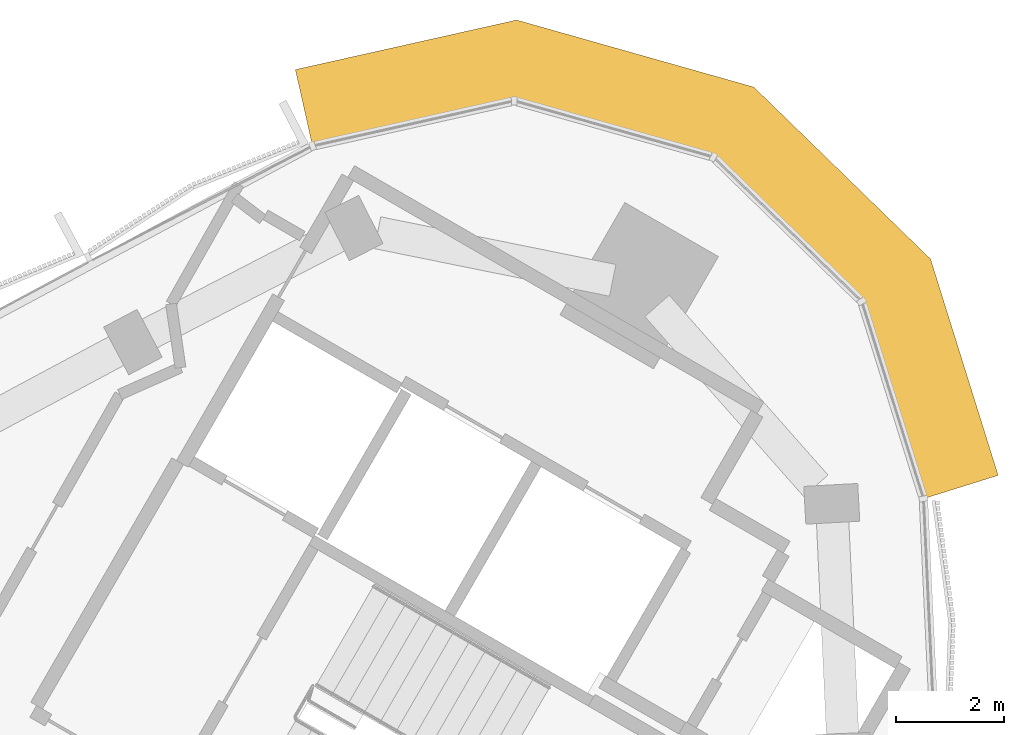
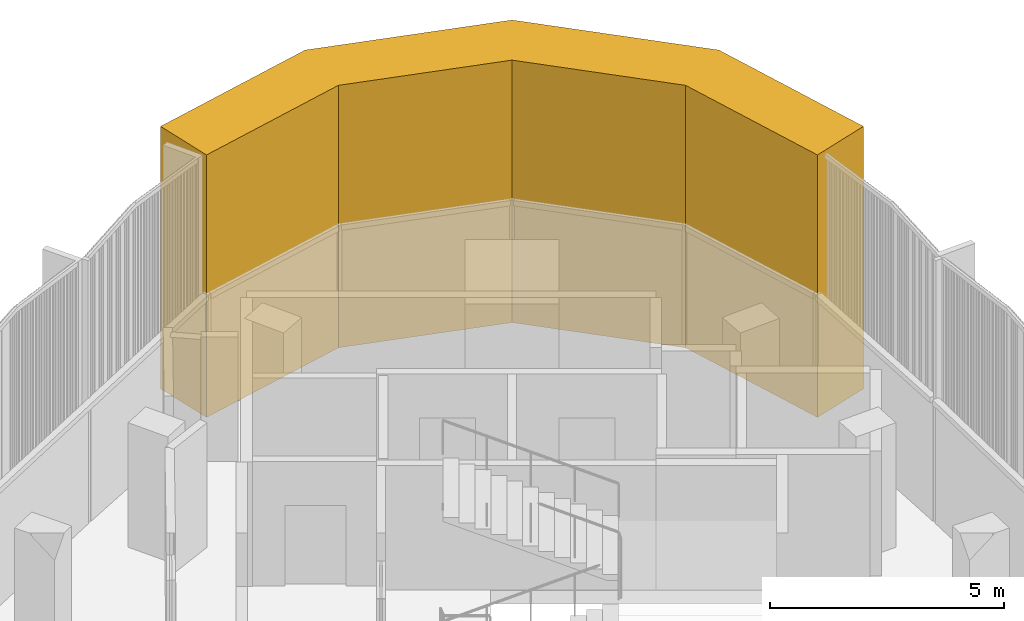
# One storey, part 13 of 13: 1 covering.
"""IFC4 building model written with IfcOpenShell, lengths in metres."""

import ifcopenshell
import ifcopenshell.guid

model = None  # the IFC model being written
_history = None  # IfcOwnerHistory: only IFC2X3 demands one
_inside = {}  # id of a spatial element -> (the spatial element, [elements in it])
_under = {}  # id of a project, library or spatial element -> (it, [spatial elements below it])
_declared = {}  # id of a project -> (the project, [libraries it declares])
_typed = {}  # id of a type object -> (the type object, [elements of that type])
_made_of = {}  # id of a material, layer set ... -> (it, [elements and type objects made of it])


def new_model(schema):
    """Start an empty IFC model of exactly this schema.

    Asked for "IFC4X3", IfcOpenShell would pick the latest addendum, in which some entities
    have other attributes; the version numbers below select the first issue.
    IFC2X3 requires an IfcOwnerHistory on every rooted entity: one is made here for all.
    """
    global model, _history
    if schema == "IFC4X3":
        model = ifcopenshell.file(schema_version=(4, 3, 0, 0))
    else:
        model = ifcopenshell.file(schema=schema)
    _inside.clear()
    _under.clear()
    _declared.clear()
    _typed.clear()
    _made_of.clear()
    _history = None
    if model.schema == "IFC2X3":
        org = make("IfcOrganization", Name="unknown")
        user = make(
            "IfcPersonAndOrganization",
            ThePerson=make("IfcPerson", FamilyName="unknown"),
            TheOrganization=org,
        )
        app = make(
            "IfcApplication",
            ApplicationDeveloper=org,
            Version="unknown",
            ApplicationFullName="unknown",
            ApplicationIdentifier="unknown",
        )
        _history = make(
            "IfcOwnerHistory",
            OwningUser=user,
            OwningApplication=app,
            ChangeAction="ADDED",
            CreationDate=0,
        )
    return model


def make(cls, **values):
    """One entity of the class cls with the attributes given. An attribute that is None is left unset."""
    return model.create_entity(
        cls, **{name: value for name, value in values.items() if value is not None}
    )


def rooted(cls, **values):
    """An entity with a GlobalId (a new one), such as an element, a storey or a relation."""
    return make(cls, GlobalId=ifcopenshell.guid.new(), OwnerHistory=_history, **values)


def si_unit(unit_type, name, prefix=None):
    """IfcSIUnit, for example si_unit("LENGTHUNIT", "METRE", prefix="MILLI")."""
    return make("IfcSIUnit", UnitType=unit_type, Prefix=prefix, Name=name)


def assignment(units):
    """IfcUnitAssignment: the units of a project."""
    return None if units is None else make("IfcUnitAssignment", Units=units)


def point(xyz):
    """IfcCartesianPoint."""
    return None if xyz is None else make("IfcCartesianPoint", Coordinates=xyz)


def direction(xyz):
    """IfcDirection."""
    return None if xyz is None else make("IfcDirection", DirectionRatios=xyz)


def frame(location, z_axis=None, x_axis=None):
    """IfcAxis2Placement3D, a coordinate frame: its origin and axes. An axis left out is left unset."""
    return make(
        "IfcAxis2Placement3D",
        Location=point(location),
        Axis=direction(z_axis),
        RefDirection=direction(x_axis),
    )


def origin():
    """The frame at (0, 0, 0) with its axes left unset."""
    return frame((0.0, 0.0, 0.0))


def place(relative_to, where):
    """IfcLocalPlacement: puts the frame where relative to a parent placement (None: the world)."""
    return make(
        "IfcLocalPlacement", PlacementRelTo=relative_to, RelativePlacement=where
    )


def context(
    kind, dimensions, precision=None, world=None, true_north=None, identifier=None
):
    """IfcGeometricRepresentationContext, for example the 3D "Model" context."""
    return make(
        "IfcGeometricRepresentationContext",
        ContextIdentifier=identifier,
        ContextType=kind,
        CoordinateSpaceDimension=dimensions,
        Precision=precision,
        WorldCoordinateSystem=world,
        TrueNorth=true_north,
    )


def subcontext(parent, identifier, kind, view, scale=None):
    """IfcGeometricRepresentationSubContext, for example "Body" below "Model"."""
    return make(
        "IfcGeometricRepresentationSubContext",
        ContextIdentifier=identifier,
        ContextType=kind,
        ParentContext=parent,
        TargetScale=scale,
        TargetView=view,
    )


def project(units=None, contexts=None):
    """IfcProject with its units and contexts."""
    return rooted(
        "IfcProject",
        Name="project",
        RepresentationContexts=contexts,
        UnitsInContext=assignment(units),
    )


def spatial(cls, under=None, at=None, **own):
    """A site, building, storey or space (cls), placed at a placement, below another one or the project."""
    s = rooted(cls, ObjectPlacement=at, **own)
    if under is not None:
        _under.setdefault(under.id(), (under, []))[1].append(s)
    return s


def polyline(points):
    """IfcPolyline through the points."""
    return make("IfcPolyline", Points=[point(p) for p in points])


def outline(outer, holes=None, kind="AREA"):
    """IfcArbitraryClosedProfileDef: a profile drawn as a closed curve; with holes, ...WithVoids."""
    if holes is None:
        return make("IfcArbitraryClosedProfileDef", ProfileType=kind, OuterCurve=outer)
    return make(
        "IfcArbitraryProfileDefWithVoids",
        ProfileType=kind,
        OuterCurve=outer,
        InnerCurves=holes,
    )


def extrude(swept, where, along, depth):
    """IfcExtrudedAreaSolid: the profile swept, set in the frame where, extruded along a direction by depth."""
    return make(
        "IfcExtrudedAreaSolid",
        SweptArea=swept,
        Position=where,
        ExtrudedDirection=direction(along),
        Depth=depth,
    )


def shape(context_of_items, identifier, shape_type, items):
    """IfcShapeRepresentation: the items that make up one representation, for example the "Body"."""
    return make(
        "IfcShapeRepresentation",
        ContextOfItems=context_of_items,
        RepresentationIdentifier=identifier,
        RepresentationType=shape_type,
        Items=items,
    )


def material(Name=None, Category=None):
    """IfcMaterial."""
    return make("IfcMaterial", Name=Name, Category=Category)


def layer(
    of_material, thickness, ventilated=None, Name=None, Category=None, Priority=None
):
    """IfcMaterialLayer: one layer of a wall or slab, of a material (None: an air gap)."""
    return make(
        "IfcMaterialLayer",
        Material=of_material,
        LayerThickness=thickness,
        IsVentilated=ventilated,
        Name=Name,
        Category=Category,
        Priority=Priority,
    )


def layer_set(layers, Name=None):
    """IfcMaterialLayerSet."""
    return make("IfcMaterialLayerSet", MaterialLayers=layers, LayerSetName=Name)


def made_of(thing, what):
    """Note that an element or type object is made of a material, layer set ...; save() writes the relation."""
    if what is not None:
        _made_of.setdefault(what.id(), (what, []))[1].append(thing)
    return thing


def type_object(cls, material=None, **own):
    """A type object (cls), such as IfcWallType, which elements share."""
    return made_of(rooted(cls, **own), material)


def element(
    cls,
    number,
    at=None,
    inside=None,
    cuts=None,
    type_object=None,
    material=None,
    context=None,
    identifier="Body",
    shape_type=None,
    held_by="IfcProductDefinitionShape",
    body=None,
    shapes=None,
    **own,
):
    """One element of the class cls, such as IfcWall. Its Tag is "e" and its number.

    at: its placement. inside: the storey or other place that contains it. cuts: it is an
    opening in that element (IfcRelVoidsElement). A single representation is given by context,
    identifier, shape_type and body (its items); several are given by shapes. held_by: the class
    of the entity that holds the representations. save() writes the other relations.
    """
    e = rooted(cls, Tag="e%d" % number, ObjectPlacement=at, **own)
    if body is not None:
        shapes = [shape(context, identifier, shape_type, body)]
    if shapes is not None:
        e.Representation = make(held_by, Representations=shapes)
    if inside is not None:
        _inside.setdefault(inside.id(), (inside, []))[1].append(e)
    if cuts is not None:
        rooted(
            "IfcRelVoidsElement", RelatingBuildingElement=cuts, RelatedOpeningElement=e
        )
    if type_object is not None:
        _typed.setdefault(type_object.id(), (type_object, []))[1].append(e)
    return made_of(e, material)


def aggregate(whole, parts):
    """IfcRelAggregates: a whole, such as a stair, and the parts it consists of."""
    return rooted("IfcRelAggregates", RelatingObject=whole, RelatedObjects=parts)


def save(model, path):
    """Write the relations noted so far, then the file.

    IfcRelAggregates (storeys below a building ...), IfcRelContainedInSpatialStructure (elements
    in a storey), IfcRelDefinesByType, IfcRelAssociatesMaterial and IfcRelDeclares: one each for
    every whole, place, type object, material and project.
    """
    for whole, parts in _under.values():
        aggregate(whole, parts)
    for where, things in _inside.values():
        rooted(
            "IfcRelContainedInSpatialStructure",
            RelatedElements=things,
            RelatingStructure=where,
        )
    for kind, things in _typed.values():
        rooted("IfcRelDefinesByType", RelatedObjects=things, RelatingType=kind)
    for what, things in _made_of.values():
        rooted("IfcRelAssociatesMaterial", RelatedObjects=things, RelatingMaterial=what)
    for by, libraries in _declared.values():
        rooted("IfcRelDeclares", RelatingContext=by, RelatedDefinitions=libraries)
    model.write(path)


model = new_model("IFC4")

# Units and contexts
model_context = context("Model", 3, precision=1e-05, world=origin(), true_north=direction((0.0, 1.0)))
body_context = subcontext(model_context, "Body", "Model", "MODEL_VIEW")
ifc_project = project(units=[si_unit("LENGTHUNIT", "METRE"), si_unit("AREAUNIT", "SQUARE_METRE"), si_unit("VOLUMEUNIT", "CUBIC_METRE"), si_unit("PLANEANGLEUNIT", "RADIAN"), si_unit("MASSUNIT", "GRAM", prefix="KILO")], contexts=[model_context])

# Site, building, storey
site_placement = place(None, origin())
site = spatial("IfcSite", under=ifc_project, at=site_placement, CompositionType="ELEMENT")
building_placement = place(site_placement, origin())
building = spatial("IfcBuilding", under=site, at=building_placement, Name="Tamra Quay Hotel Tower", CompositionType="ELEMENT")
storey_placement = place(building_placement, frame((0.0, 0.0, 291.0)))
storey = spatial("IfcBuildingStorey", under=building, at=storey_placement, Name="L73", CompositionType="ELEMENT", Elevation=291.0)

# Covering
ifc_material = material(Name="Precast concrete M60 terracotta-coloured", Category="masonry")
ifc_layer = layer(ifc_material, 1.449951171875)
ifc_layer_set = layer_set([ifc_layer], Name="CORNER PIER PANEL")
covering_type = type_object("IfcCoveringType", Name="CORNER PIER PANEL", PredefinedType="CLADDING", material=ifc_layer_set)
covering_placement = place(storey_placement, origin())
element("IfcCovering", 1, at=covering_placement, inside=storey, type_object=covering_type, Name="Corner pier L73.east", PredefinedType="CLADDING", context=body_context, shape_type="SweptSolid", body=[
    extrude(outline(polyline([(16.89990234375, 16.210205078125), (18.283935546875, 16.642822265625), (17.031494140625, 20.649169921875), (13.759521484375, 23.832275390625), (9.366943359375, 25.07421875), (5.271240234375, 24.15576171875), (5.58837890625, 22.740966796875), (9.325927734375, 23.5791015625), (13.01171875, 22.536865234375), (15.757080078125, 19.865966796875), (16.89990234375, 16.210205078125)])), origin(), (0.0, 0.0, 1.0), 6.85009765625),
])

save(model, "model.ifc")
